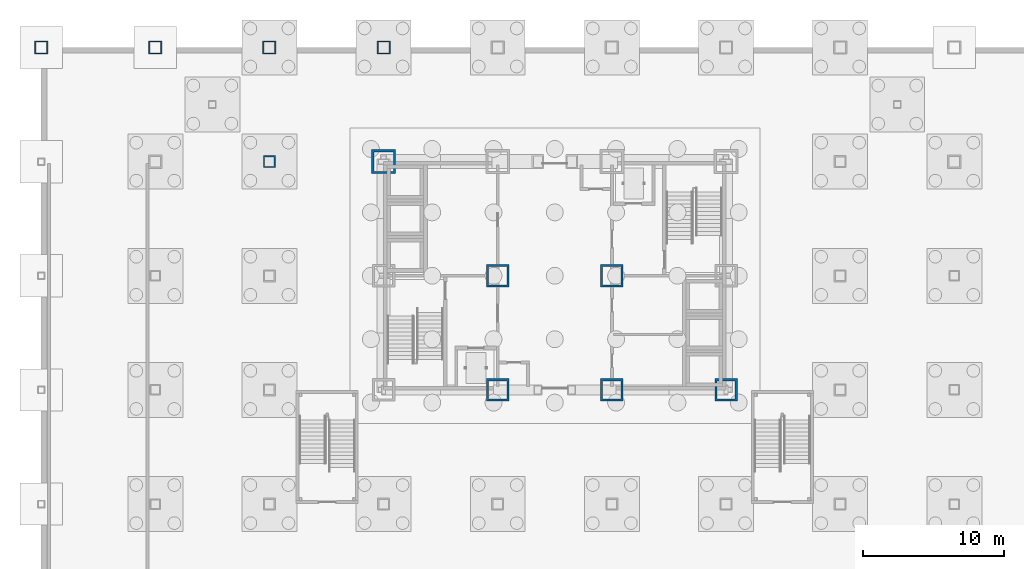
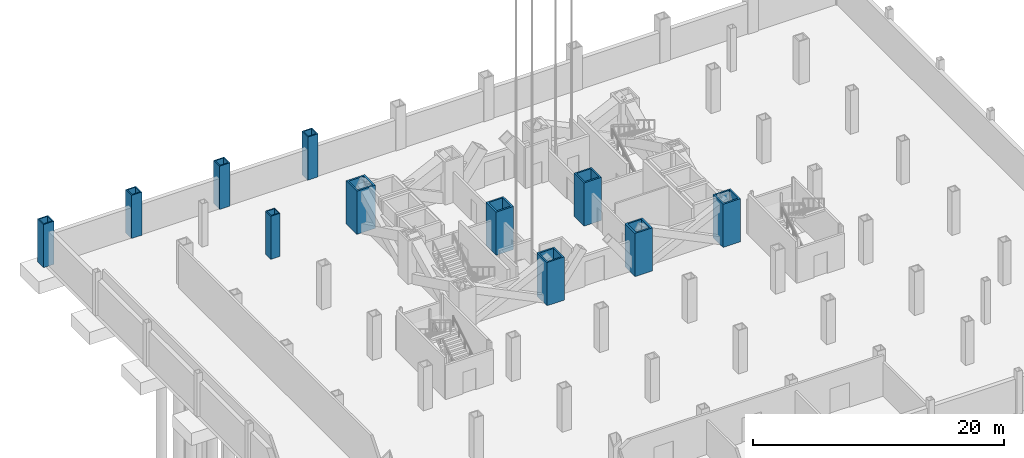
# One storey, part 8 of 17: 11 columns.
"""IFC4 building model written with IfcOpenShell, lengths in metres."""

from ifc_helpers import new_model, si_unit, direction, frame, origin, origin_2d, place, context, subcontext, project, spatial, hollow_rectangle, extrude, material, material_profile, profile_set, type_object, element, save


model = new_model("IFC4")

# Units and contexts
model_context = context("Model", 3, precision=1e-05, world=origin(), true_north=direction((0.0, 1.0)))
body_context = subcontext(model_context, "Body", "Model", "MODEL_VIEW")
ifc_project = project(units=[si_unit("LENGTHUNIT", "METRE"), si_unit("AREAUNIT", "SQUARE_METRE"), si_unit("VOLUMEUNIT", "CUBIC_METRE"), si_unit("PLANEANGLEUNIT", "RADIAN"), si_unit("MASSUNIT", "GRAM", prefix="KILO")], contexts=[model_context])

# Site, building, storey
site_placement = place(None, origin())
site = spatial("IfcSite", under=ifc_project, at=site_placement, CompositionType="ELEMENT")
building_placement = place(site_placement, origin())
building = spatial("IfcBuilding", under=site, at=building_placement, Name="Kopane Lantern Tower", CompositionType="ELEMENT")
storey_placement = place(building_placement, frame((0.0, 0.0, -8.39990234375)))
storey = spatial("IfcBuildingStorey", under=building, at=storey_placement, Name="L-02", CompositionType="ELEMENT", Elevation=-8.39990234375)

# Columns
ifc_material_1 = material(Name="Steel S355JR", Category="steel")
ifc_material_profile_1 = material_profile(ifc_material_1, hollow_rectangle(XDim=1.60009765625, YDim=1.60009765625, WallThickness=0.14990234375, at=origin_2d()), Name="BOX 1600x1600x150")
ifc_profile_set_1 = profile_set([ifc_material_profile_1], Name="Steel S355JR")
column_type_1 = type_object("IfcColumnType", Name="COLUMN BOX 1600x1600x150", PredefinedType="COLUMN", material=ifc_profile_set_1)
for number, where, z_axis, x_axis, name in (
    (1, (24.300048828125, 24.300048828125, 0.0), (0.0, 0.0, 1.0), (1.0, 0.0, 0.0), "Column 5/E L-02"),
    (2, (24.300048828125, 32.39990234375, 0.0), (0.0, 0.0, 1.0), (1.0, 0.0, 0.0), "Column 5/F L-02"),
    (3, (32.39990234375, 24.300048828125, 0.0), (0.0, 0.0, 1.0), (1.0, 0.0, 0.0), "Column 6/E L-02"),
    (4, (32.39990234375, 32.39990234375, 0.0), (0.0, 0.0, 1.0), (1.0, 0.0, 0.0), "Column 6/F L-02"),
    (5, (40.5, 24.300048828125, 0.0), (0.0, 0.0, 1.0), (1.0, 0.0, 0.0), "Column 7/E L-02"),
):
    element("IfcColumn", number, at=place(storey_placement, frame(where, z_axis=z_axis, x_axis=x_axis)), inside=storey, type_object=column_type_1, Name=name, PredefinedType="COLUMN", context=body_context, shape_type="SweptSolid", body=[
        extrude(hollow_rectangle(XDim=1.60009765625, YDim=1.60009765625, WallThickness=0.14990234375, at=origin_2d()), origin(), (0.0, 0.0, 1.0), 4.199951171875),
    ])
ifc_material_2 = material(Name="Steel S355JR", Category="steel")
ifc_material_profile_2 = material_profile(ifc_material_2, hollow_rectangle(XDim=1.699951171875, YDim=1.699951171875, WallThickness=0.159912109375, at=origin_2d()), Name="BOX 1700x1700x160")
ifc_profile_set_2 = profile_set([ifc_material_profile_2], Name="Steel S355JR")
column_type_2 = type_object("IfcColumnType", Name="COLUMN BOX 1700x1700x160", PredefinedType="COLUMN", material=ifc_profile_set_2)
column_1_placement = place(storey_placement, frame((16.199951171875, 40.5, 0.0), z_axis=(0.0, 0.0, 1.0), x_axis=(1.0, 0.0, 0.0)))
element("IfcColumn", 6, at=column_1_placement, inside=storey, type_object=column_type_2, Name="Column 4/G L-02", PredefinedType="COLUMN", context=body_context, shape_type="SweptSolid", body=[
    extrude(hollow_rectangle(XDim=1.699951171875, YDim=1.699951171875, WallThickness=0.159912109375, at=origin_2d()), origin(), (0.0, 0.0, 1.0), 4.199951171875),
])
ifc_material_3 = material(Name="Steel S355JR", Category="steel")
ifc_material_profile_3 = material_profile(ifc_material_3, hollow_rectangle(XDim=0.85009765625, YDim=0.85009765625, WallThickness=0.0849609375, at=origin_2d()), Name="BOX 850x850x85")
ifc_profile_set_3 = profile_set([ifc_material_profile_3], Name="Steel S355JR")
column_type_3 = type_object("IfcColumnType", Name="COLUMN BOX 850x850x85", PredefinedType="COLUMN", material=ifc_profile_set_3)
column_2_placement = place(storey_placement, frame((8.10009765625, 40.5, 0.0), z_axis=(0.0, 0.0, 1.0), x_axis=(1.0, 0.0, 0.0)))
element("IfcColumn", 7, at=column_2_placement, inside=storey, type_object=column_type_3, Name="Column 3/G L-02", PredefinedType="COLUMN", context=body_context, shape_type="SweptSolid", body=[
    extrude(hollow_rectangle(XDim=0.85009765625, YDim=0.85009765625, WallThickness=0.0849609375, at=origin_2d()), origin(), (0.0, 0.0, 1.0), 4.199951171875),
])
ifc_material_4 = material(Name="Steel S355JR", Category="steel")
ifc_material_profile_4 = material_profile(ifc_material_4, hollow_rectangle(XDim=0.949951171875, YDim=0.949951171875, WallThickness=0.10009765625, at=origin_2d()), Name="BOX 950x950x100")
ifc_profile_set_4 = profile_set([ifc_material_profile_4], Name="Steel S355JR")
column_type_4 = type_object("IfcColumnType", Name="COLUMN BOX 950x950x100", PredefinedType="COLUMN", material=ifc_profile_set_4)
for number, where, z_axis, x_axis, name in (
    (8, (-8.10009765625, 48.60009765625, 0.0), (0.0, 0.0, 1.0), (1.0, 0.0, 0.0), "Column 1/H L-02"),
    (9, (0.0, 48.60009765625, 0.0), (0.0, 0.0, 1.0), (1.0, 0.0, 0.0), "Column 2/H L-02"),
    (10, (8.10009765625, 48.60009765625, 0.0), (0.0, 0.0, 1.0), (1.0, 0.0, 0.0), "Column 3/H L-02"),
    (11, (16.199951171875, 48.60009765625, 0.0), (0.0, 0.0, 1.0), (1.0, 0.0, 0.0), "Column 4/H L-02"),
):
    element("IfcColumn", number, at=place(storey_placement, frame(where, z_axis=z_axis, x_axis=x_axis)), inside=storey, type_object=column_type_4, Name=name, PredefinedType="COLUMN", context=body_context, shape_type="SweptSolid", body=[
        extrude(hollow_rectangle(XDim=0.949951171875, YDim=0.949951171875, WallThickness=0.10009765625, at=origin_2d()), origin(), (0.0, 0.0, 1.0), 4.199951171875),
    ])

save(model, "model.ifc")
